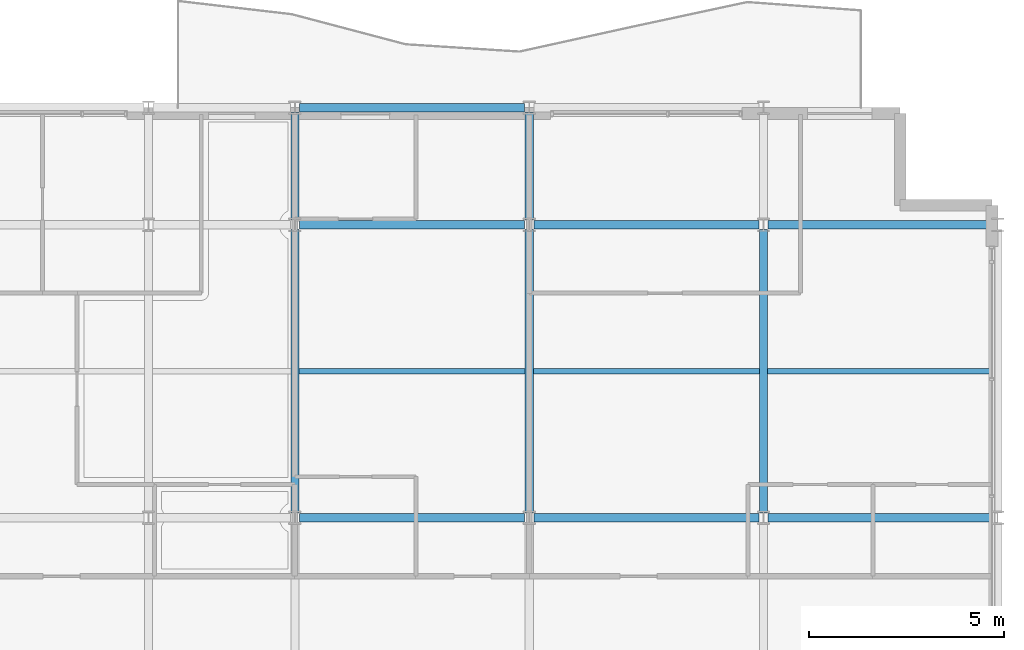
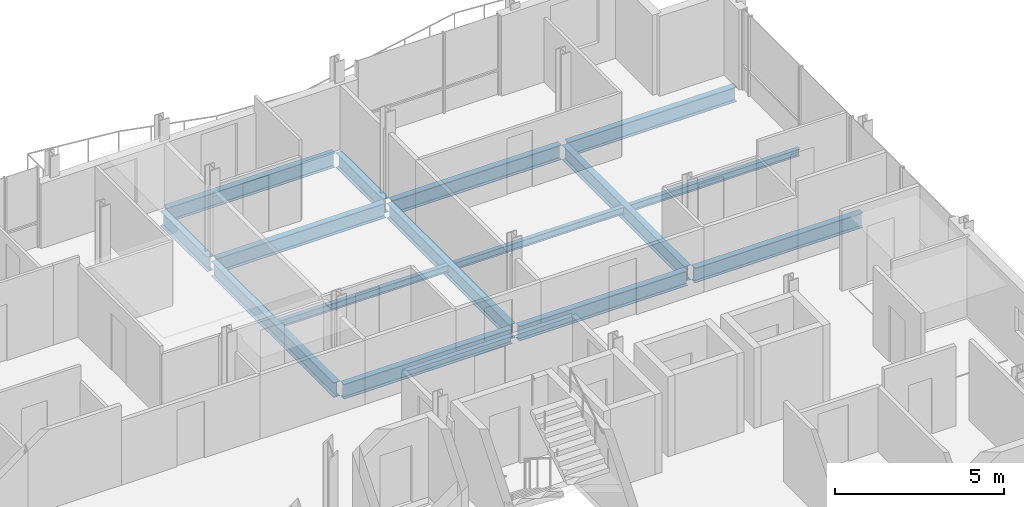
# One storey, part 3 of 12: 15 beams.
"""IFC4 building model written with IfcOpenShell, lengths in metres."""

from ifc_helpers import new_model, si_unit, direction, frame, origin, origin_2d, place, context, subcontext, project, spatial, i_section, extrude, material, material_profile, profile_set, type_object, element, save


model = new_model("IFC4")

# Units and contexts
model_context = context("Model", 3, precision=1e-05, world=origin(), true_north=direction((0.0, 1.0)))
body_context = subcontext(model_context, "Body", "Model", "MODEL_VIEW")
ifc_project = project(units=[si_unit("LENGTHUNIT", "METRE"), si_unit("AREAUNIT", "SQUARE_METRE"), si_unit("VOLUMEUNIT", "CUBIC_METRE"), si_unit("PLANEANGLEUNIT", "RADIAN"), si_unit("MASSUNIT", "GRAM", prefix="KILO")], contexts=[model_context])

# Site, building, storey
site_placement = place(None, origin())
site = spatial("IfcSite", under=ifc_project, at=site_placement, CompositionType="ELEMENT")
building_placement = place(site_placement, origin())
building = spatial("IfcBuilding", under=site, at=building_placement, Name="Brevholm Reach", CompositionType="ELEMENT")
storey_placement = place(building_placement, frame((0.0, 0.0, 227.300048828125)))
storey = spatial("IfcBuildingStorey", under=building, at=storey_placement, Name="L69", CompositionType="ELEMENT", Elevation=227.300048828125)

# Beams
ifc_material_1 = material(Name="Structural Steel S355J2", Category="steel")
ifc_material_profile_1 = material_profile(ifc_material_1, i_section(OverallWidth=0.14599609375, OverallDepth=0.25146484375, WebThickness=0.006103515625, FlangeThickness=0.008544921875, FilletRadius=0.007568359375, at=origin_2d()), Name="UKB 254x146x31")
ifc_profile_set_1 = profile_set([ifc_material_profile_1], Name="Structural Steel S355J2")
beam_type_1 = type_object("IfcBeamType", Name="BM-B254", PredefinedType="BEAM", material=ifc_profile_set_1)
for number, where, z_axis, x_axis, name in (
    (1, (42.10546875, 19.75, -0.335693359375), (1.0, 0.0, 0.0), (0.0, 1.0, 0.0), "L69 Composite Secondary Floor Beam"),
    (2, (48.10546875, 19.75, -0.335693359375), (1.0, 0.0, 0.0), (0.0, 1.0, 0.0), "L69 Composite Secondary Floor Beam"),
):
    element("IfcBeam", number, at=place(storey_placement, frame(where, z_axis=z_axis, x_axis=x_axis)), inside=storey, type_object=beam_type_1, Name=name, PredefinedType="BEAM", context=body_context, shape_type="SweptSolid", body=[
        extrude(i_section(OverallWidth=0.14599609375, OverallDepth=0.25146484375, WebThickness=0.006103515625, FlangeThickness=0.008544921875, FilletRadius=0.007568359375, at=origin_2d()), origin(), (0.0, 0.0, 1.0), 5.7890625),
    ])
beam_1_placement = place(storey_placement, frame((54.10546875, 19.75, -0.335693359375), z_axis=(1.0, 0.0, 0.0), x_axis=(0.0, 1.0, 0.0)))
element("IfcBeam", 3, at=beam_1_placement, inside=storey, type_object=beam_type_1, Name="L69 Composite Secondary Floor Beam", PredefinedType="BEAM", context=body_context, shape_type="SweptSolid", body=[
    extrude(i_section(OverallWidth=0.14599609375, OverallDepth=0.25146484375, WebThickness=0.006103515625, FlangeThickness=0.008544921875, FilletRadius=0.007568359375, at=origin_2d()), origin(), (0.0, 0.0, 1.0), 5.789794921875),
])
ifc_material_2 = material(Name="Structural Steel S355J2", Category="steel")
ifc_material_profile_2 = material_profile(ifc_material_2, i_section(OverallWidth=0.209228515625, OverallDepth=0.533203125, WebThickness=0.010009765625, FlangeThickness=0.015625, FilletRadius=0.0126953125, at=origin_2d()), Name="UKB 533x210x92")
ifc_profile_set_2 = profile_set([ifc_material_profile_2], Name="Structural Steel S355J2")
beam_type_2 = type_object("IfcBeamType", Name="BM-SP533", PredefinedType="SPANDREL", material=ifc_profile_set_2)
beam_2_placement = place(storey_placement, frame((42.1201171875, 26.5, -0.4765625), z_axis=(1.0, 0.0, 0.0), x_axis=(0.0, 1.0, 0.0)))
element("IfcBeam", 4, at=beam_2_placement, inside=storey, type_object=beam_type_2, Name="L69 SP-02 Framing Beam", PredefinedType="SPANDREL", context=body_context, shape_type="SweptSolid", body=[
    extrude(i_section(OverallWidth=0.209228515625, OverallDepth=0.533203125, WebThickness=0.010009765625, FlangeThickness=0.015625, FilletRadius=0.0126953125, at=origin_2d()), origin(), (0.0, 0.0, 1.0), 5.759765625),
])
ifc_material_3 = material(Name="Structural Steel S355J2", Category="steel")
ifc_material_profile_3 = material_profile(ifc_material_3, i_section(OverallWidth=0.210693359375, OverallDepth=0.53955078125, WebThickness=0.01171875, FlangeThickness=0.018798828125, FilletRadius=0.0126953125, at=origin_2d()), Name="UKB 533x210x109")
ifc_profile_set_3 = profile_set([ifc_material_profile_3], Name="Structural Steel S355J2")
beam_type_3 = type_object("IfcBeamType", Name="BM-SP539", PredefinedType="SPANDREL", material=ifc_profile_set_3)
for number, where, z_axis, x_axis, name in (
    (5, (42.1201171875, 16.0, -0.479736328125), (1.0, 0.0, 0.0), (0.0, 1.0, 0.0), "L69 SP-01B Framing Beam"),
    (6, (48.1201171875, 16.0, -0.479736328125), (1.0, 0.0, 0.0), (0.0, 1.0, 0.0), "L69 SP-01B Framing Beam"),
    (7, (54.1201171875, 16.0, -0.479736328125), (1.0, 0.0, 0.0), (0.0, 1.0, 0.0), "L69 SP-01B Framing Beam"),
    (8, (42.1201171875, 23.5, -0.479736328125), (1.0, 0.0, 0.0), (0.0, 1.0, 0.0), "L69 SP-01B Framing Beam"),
    (9, (48.1201171875, 23.5, -0.479736328125), (1.0, 0.0, 0.0), (0.0, 1.0, 0.0), "L69 SP-01B Framing Beam"),
    (10, (54.1201171875, 23.5, -0.479736328125), (1.0, 0.0, 0.0), (0.0, 1.0, 0.0), "L69 SP-01B Framing Beam"),
):
    element("IfcBeam", number, at=place(storey_placement, frame(where, z_axis=z_axis, x_axis=x_axis)), inside=storey, type_object=beam_type_3, Name=name, PredefinedType="SPANDREL", context=body_context, shape_type="SweptSolid", body=[
        extrude(i_section(OverallWidth=0.210693359375, OverallDepth=0.53955078125, WebThickness=0.01171875, FlangeThickness=0.018798828125, FilletRadius=0.0126953125, at=origin_2d()), origin(), (0.0, 0.0, 1.0), 5.759765625),
    ])
beam_3_placement = place(storey_placement, frame((42.0, 16.1201171875, -0.479736328125), z_axis=(0.0, 1.0, 0.0), x_axis=(-1.0, 0.0, 0.0)))
element("IfcBeam", 11, at=beam_3_placement, inside=storey, type_object=beam_type_3, Name="L69 SP-01B Framing Beam", PredefinedType="SPANDREL", context=body_context, shape_type="SweptSolid", body=[
    extrude(i_section(OverallWidth=0.210693359375, OverallDepth=0.53955078125, WebThickness=0.01171875, FlangeThickness=0.018798828125, FilletRadius=0.0126953125, at=origin_2d()), origin(), (0.0, 0.0, 1.0), 7.259765625),
])
beam_4_placement = place(storey_placement, frame((42.0, 23.6201171875, -0.479736328125), z_axis=(0.0, 1.0, 0.0), x_axis=(-1.0, 0.0, 0.0)))
element("IfcBeam", 12, at=beam_4_placement, inside=storey, type_object=beam_type_3, Name="L69 SP-01B Framing Beam", PredefinedType="SPANDREL", context=body_context, shape_type="SweptSolid", body=[
    extrude(i_section(OverallWidth=0.210693359375, OverallDepth=0.53955078125, WebThickness=0.01171875, FlangeThickness=0.018798828125, FilletRadius=0.0126953125, at=origin_2d()), origin(), (0.0, 0.0, 1.0), 2.759765625),
])
beam_5_placement = place(storey_placement, frame((48.0, 16.1201171875, -0.479736328125), z_axis=(0.0, 1.0, 0.0), x_axis=(-1.0, 0.0, 0.0)))
element("IfcBeam", 13, at=beam_5_placement, inside=storey, type_object=beam_type_3, Name="L69 SP-01B Framing Beam", PredefinedType="SPANDREL", context=body_context, shape_type="SweptSolid", body=[
    extrude(i_section(OverallWidth=0.210693359375, OverallDepth=0.53955078125, WebThickness=0.01171875, FlangeThickness=0.018798828125, FilletRadius=0.0126953125, at=origin_2d()), origin(), (0.0, 0.0, 1.0), 7.259765625),
])
beam_6_placement = place(storey_placement, frame((48.0, 23.6201171875, -0.479736328125), z_axis=(0.0, 1.0, 0.0), x_axis=(-1.0, 0.0, 0.0)))
element("IfcBeam", 14, at=beam_6_placement, inside=storey, type_object=beam_type_3, Name="L69 SP-01B Framing Beam", PredefinedType="SPANDREL", context=body_context, shape_type="SweptSolid", body=[
    extrude(i_section(OverallWidth=0.210693359375, OverallDepth=0.53955078125, WebThickness=0.01171875, FlangeThickness=0.018798828125, FilletRadius=0.0126953125, at=origin_2d()), origin(), (0.0, 0.0, 1.0), 2.759765625),
])
beam_7_placement = place(storey_placement, frame((54.0, 16.1201171875, -0.479736328125), z_axis=(0.0, 1.0, 0.0), x_axis=(-1.0, 0.0, 0.0)))
element("IfcBeam", 15, at=beam_7_placement, inside=storey, type_object=beam_type_3, Name="L69 SP-01B Framing Beam", PredefinedType="SPANDREL", context=body_context, shape_type="SweptSolid", body=[
    extrude(i_section(OverallWidth=0.210693359375, OverallDepth=0.53955078125, WebThickness=0.01171875, FlangeThickness=0.018798828125, FilletRadius=0.0126953125, at=origin_2d()), origin(), (0.0, 0.0, 1.0), 7.259765625),
])

save(model, "model.ifc")
